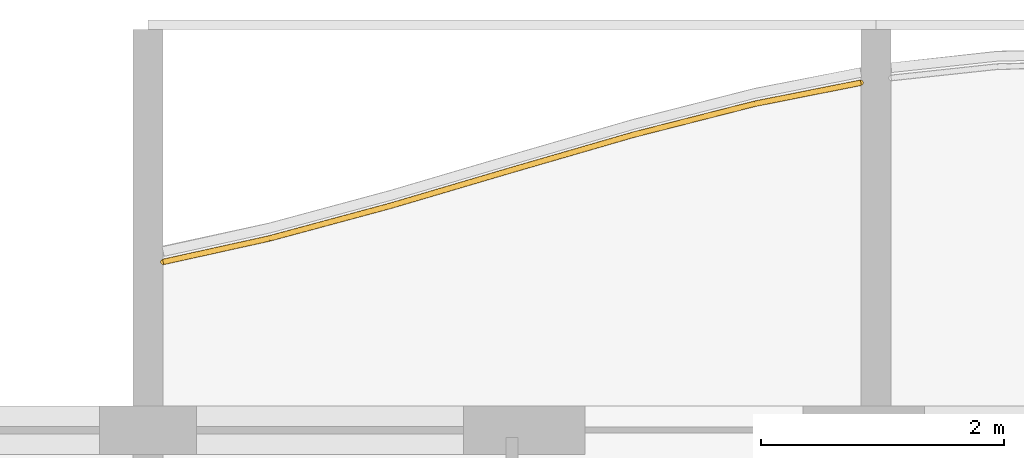
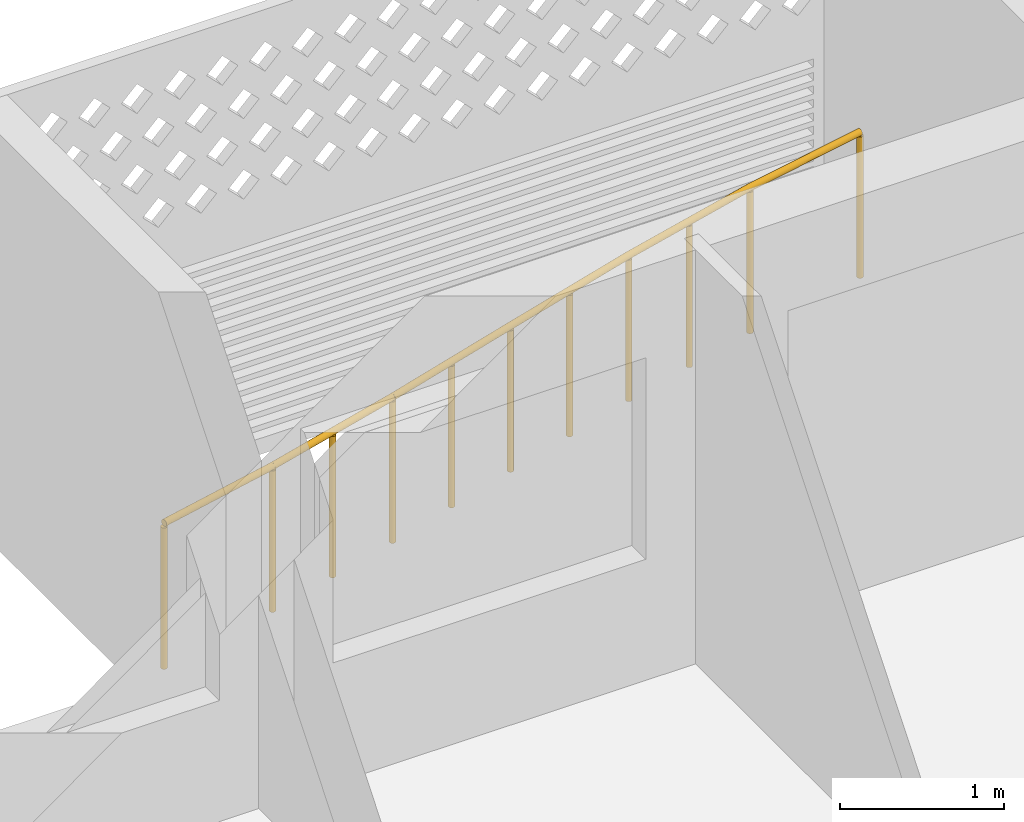
# One storey, part 24 of 29: 1 railing.
"""IFC4 building model written with IfcOpenShell, lengths in metres."""

from ifc_helpers import new_model, si_unit, direction, frame, origin, origin_2d, place, context, subcontext, project, spatial, circle, extrude, material, type_object, element, save


model = new_model("IFC4")

# Units and contexts
model_context = context("Model", 3, precision=1e-05, world=origin(), true_north=direction((0.0, 1.0)))
body_context = subcontext(model_context, "Body", "Model", "MODEL_VIEW")
ifc_project = project(units=[si_unit("LENGTHUNIT", "METRE"), si_unit("AREAUNIT", "SQUARE_METRE"), si_unit("VOLUMEUNIT", "CUBIC_METRE"), si_unit("PLANEANGLEUNIT", "RADIAN"), si_unit("MASSUNIT", "GRAM", prefix="KILO")], contexts=[model_context])

# Site, building, storey
site_placement = place(None, origin())
site = spatial("IfcSite", under=ifc_project, at=site_placement, CompositionType="ELEMENT")
building_placement = place(site_placement, origin())
building = spatial("IfcBuilding", under=site, at=building_placement, Name="Poui Terraces", CompositionType="ELEMENT")
storey_placement = place(building_placement, frame((0.0, 0.0, 234.60009765625)))
storey = spatial("IfcBuildingStorey", under=building, at=storey_placement, Name="L65", CompositionType="ELEMENT", Elevation=234.60009765625)

# Railing
ifc_material = material(Name="Painted steel fretwork", Category="steel")
railing_type = type_object("IfcRailingType", Name="BALCONY GUARD 1100", PredefinedType="GUARDRAIL", material=ifc_material)
railing_placement = place(storey_placement, frame((60.125, 42.58642578125, 0.0)))
element("IfcRailing", 1, at=railing_placement, inside=storey, type_object=railing_type, Name="BALCONY GUARD", PredefinedType="GUARDRAIL", context=body_context, shape_type="SweptSolid", body=[
    extrude(circle(Radius=0.02392578125, at=origin_2d()), frame((0.0, 0.0, 1.076171875), z_axis=(0.976442797021, 0.215776421663, 0.0), x_axis=(-0.215776421663, 0.976442797021, 0.0)), (0.0, 0.0, 1.0), 0.89599609375),
    extrude(circle(Radius=0.02392578125, at=origin_2d()), frame((0.875, 0.193359375, 1.076171875), z_axis=(0.965483634336, 0.260463724595, 0.0), x_axis=(-0.260463724595, 0.965483634336, 0.0)), (0.0, 0.0, 1.0), 1.03564453125),
    extrude(circle(Radius=0.02392578125, at=origin_2d()), frame((1.875, 0.463134765625, 1.076171875), z_axis=(0.959092870386, 0.283091621166, 0.0), x_axis=(-0.283091621166, 0.959092870386, 0.0)), (0.0, 0.0, 1.0), 1.042724609375),
    extrude(circle(Radius=0.02392578125, at=origin_2d()), frame((2.875, 0.75830078125, 1.076171875), z_axis=(0.960481812677, 0.278342751867, 0.0), x_axis=(-0.278342751867, 0.960481812677, 0.0)), (0.0, 0.0, 1.0), 1.041259765625),
    extrude(circle(Radius=0.02392578125, at=origin_2d()), frame((3.875, 1.048095703125, 1.076171875), z_axis=(0.968962333186, 0.247208407759, 0.0), x_axis=(-0.247208407759, 0.968962333186, 0.0)), (0.0, 0.0, 1.0), 1.031982421875),
    extrude(circle(Radius=0.02392578125, at=origin_2d()), frame((4.875, 1.30322265625, 1.076171875), z_axis=(0.980884751127, 0.19458958093, 0.0), x_axis=(-0.19458958093, 0.980884751127, 0.0)), (0.0, 0.0, 1.0), 0.89208984375),
    extrude(circle(Radius=0.02099609375, at=origin_2d()), origin(), (0.0, 0.0, 1.0), 1.052001953125),
    extrude(circle(Radius=0.02099609375, at=origin_2d()), frame((0.875, 0.193359375, 0.0)), (0.0, 0.0, 1.0), 1.052001953125),
    extrude(circle(Radius=0.02099609375, at=origin_2d()), frame((1.375, 0.328125, 0.0)), (0.0, 0.0, 1.0), 1.052001953125),
    extrude(circle(Radius=0.02099609375, at=origin_2d()), frame((1.875, 0.463134765625, 0.0)), (0.0, 0.0, 1.0), 1.052001953125),
    extrude(circle(Radius=0.02099609375, at=origin_2d()), frame((2.375, 0.61083984375, 0.0)), (0.0, 0.0, 1.0), 1.052001953125),
    extrude(circle(Radius=0.02099609375, at=origin_2d()), frame((2.875, 0.75830078125, 0.0)), (0.0, 0.0, 1.0), 1.052001953125),
    extrude(circle(Radius=0.02099609375, at=origin_2d()), frame((3.375, 0.9033203125, 0.0)), (0.0, 0.0, 1.0), 1.052001953125),
    extrude(circle(Radius=0.02099609375, at=origin_2d()), frame((3.875, 1.048095703125, 0.0)), (0.0, 0.0, 1.0), 1.052001953125),
    extrude(circle(Radius=0.02099609375, at=origin_2d()), frame((4.375, 1.17578125, 0.0)), (0.0, 0.0, 1.0), 1.052001953125),
    extrude(circle(Radius=0.02099609375, at=origin_2d()), frame((4.875, 1.30322265625, 0.0)), (0.0, 0.0, 1.0), 1.052001953125),
    extrude(circle(Radius=0.02099609375, at=origin_2d()), frame((5.75, 1.476806640625, 0.0)), (0.0, 0.0, 1.0), 1.052001953125),
])

save(model, "model.ifc")
